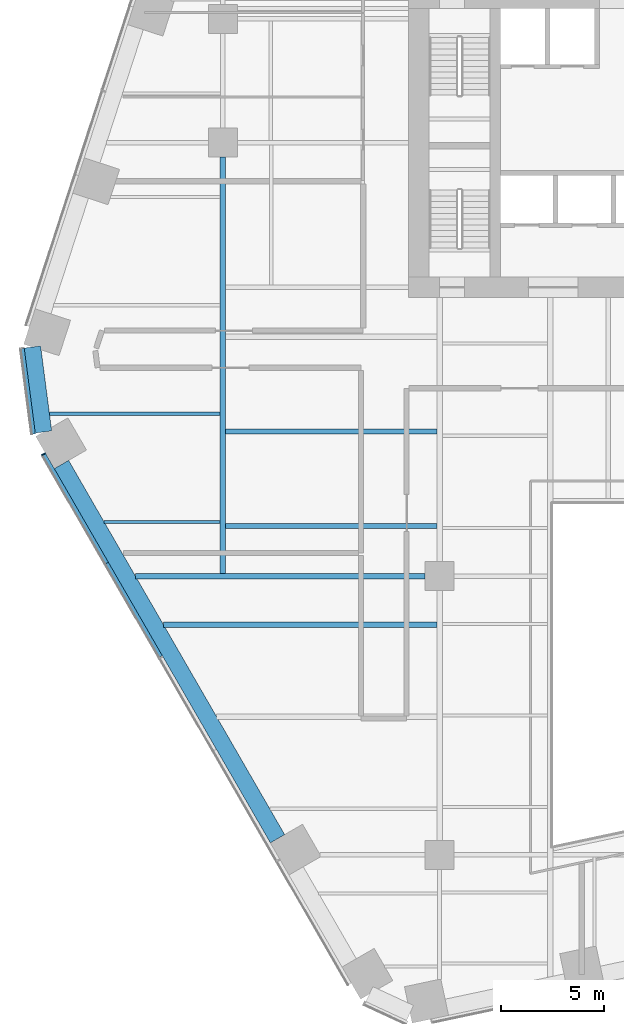
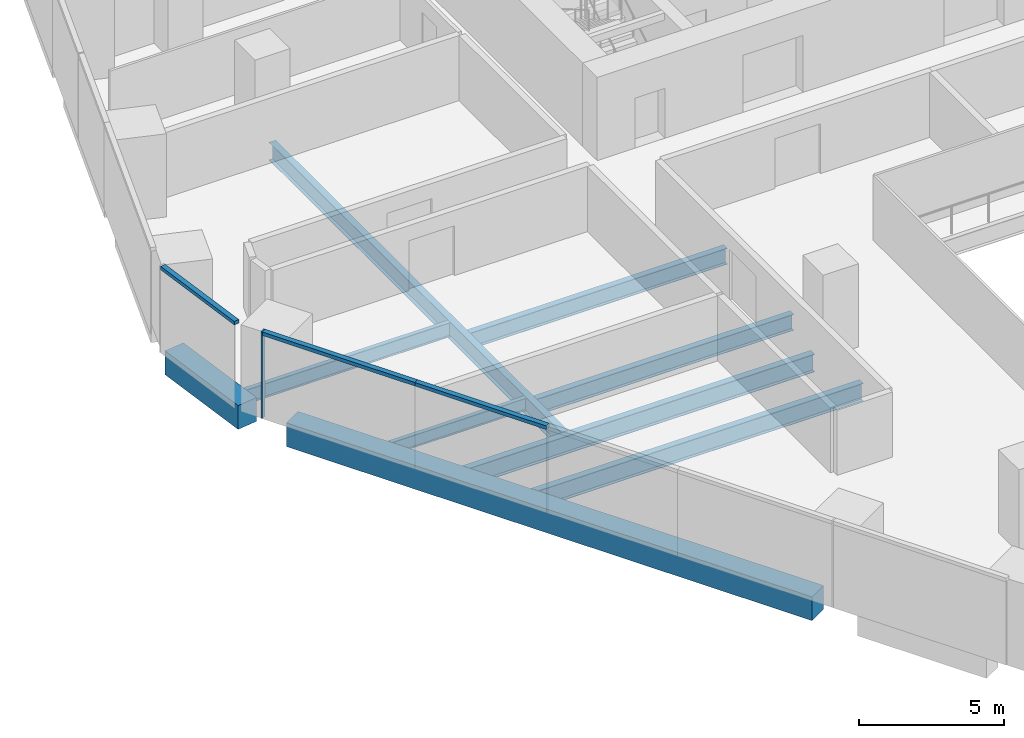
# One storey, part 3 of 20: 9 beams, 4 members, 2 elements without a shape of their own.
"""IFC4 building model written with IfcOpenShell, lengths in metres."""

from ifc_helpers import new_model, si_unit, direction, frame, origin, origin_2d, place, context, subcontext, project, spatial, rectangle, i_section, extrude, material, layer, layer_set, material_profile, profile_set, type_object, element, aggregate, save


model = new_model("IFC4")

# Units and contexts
model_context = context("Model", 3, precision=1e-05, world=origin(), true_north=direction((0.0, 1.0)))
body_context = subcontext(model_context, "Body", "Model", "MODEL_VIEW")
ifc_project = project(units=[si_unit("LENGTHUNIT", "METRE"), si_unit("AREAUNIT", "SQUARE_METRE"), si_unit("VOLUMEUNIT", "CUBIC_METRE"), si_unit("PLANEANGLEUNIT", "RADIAN"), si_unit("MASSUNIT", "GRAM", prefix="KILO")], contexts=[model_context])

# Site, building, storey
site_placement = place(None, origin())
site = spatial("IfcSite", under=ifc_project, at=site_placement, CompositionType="ELEMENT")
building_placement = place(site_placement, origin())
building = spatial("IfcBuilding", under=site, at=building_placement, Name="Isthmus Gate Tower", CompositionType="ELEMENT")
storey_placement = place(building_placement, frame((0.0, 0.0, 57.89990234375)))
storey = spatial("IfcBuildingStorey", under=building, at=storey_placement, Name="L12", CompositionType="ELEMENT", Elevation=57.89990234375)

# Curtain wall, member
ifc_material_1 = material(Name="Aluminium, pale champagne anodised", Category="aluminium")
ifc_layer = layer(ifc_material_1, 0.199951171875)
ifc_layer_set = layer_set([ifc_layer], Name="CW-1 UNITISED CURTAIN WALL 200 DEEP")
curtain_wall_type = type_object("IfcCurtainWallType", Name="CW-1 UNITISED CURTAIN WALL 200 DEEP", PredefinedType="NOTDEFINED", material=ifc_layer_set)
curtain_wall_1_placement = place(storey_placement, origin())
curtain_wall_1 = element("IfcCurtainWall", 1, at=curtain_wall_1_placement, inside=storey, type_object=curtain_wall_type, Name="CW-1 SW L12", PredefinedType="NOTDEFINED")
ifc_material_2 = material(Name="Aluminium, pale champagne anodised", Category="aluminium")
ifc_material_profile_1 = material_profile(ifc_material_2, rectangle(XDim=0.06005859375, YDim=0.199951171875, at=origin_2d()), Name="60x200")
ifc_profile_set_1 = profile_set([ifc_material_profile_1], Name="Aluminium, pale champagne anodised")
member_type_1 = type_object("IfcMemberType", Name="CW-1 MULLION 60 X 200", PredefinedType="MULLION", material=ifc_profile_set_1)
member_1_placement = place(storey_placement, frame((-32.685302734375, -7.58740234375, 0.0), z_axis=(0.0, 0.0, 1.0), x_axis=(0.5, -0.866025403784, 0.0)))
member_1 = element("IfcMember", 2, at=member_1_placement, type_object=member_type_1, Name="CW-1 mullion", PredefinedType="MULLION", context=body_context, shape_type="SweptSolid", body=[
    extrude(rectangle(XDim=0.06005859375, YDim=0.199951171875, at=origin_2d()), origin(), (0.0, 0.0, 1.0), 3.650146484375),
])

curtain_wall_2_placement = place(storey_placement, origin())
curtain_wall_2 = element("IfcCurtainWall", 3, at=curtain_wall_2_placement, inside=storey, type_object=curtain_wall_type, Name="CW-1 NW-SW L12", PredefinedType="NOTDEFINED")
ifc_material_3 = material(Name="Aluminium, pale champagne anodised", Category="aluminium")
ifc_material_profile_2 = material_profile(ifc_material_3, rectangle(XDim=0.199951171875, YDim=0.14990234375, at=origin_2d()), Name="200x150")
ifc_profile_set_2 = profile_set([ifc_material_profile_2], Name="Aluminium, pale champagne anodised")
member_type_2 = type_object("IfcMemberType", Name="CW-1 TRANSOM 200 X 150", PredefinedType="USERDEFINED", material=ifc_profile_set_2)
member_2_placement = place(storey_placement, frame((-33.71923828125, -2.474609375, 3.5751953125), z_axis=(0.129206893318, -0.991617657527, 0.0), x_axis=(0.991617657527, 0.129206893318, 0.0)))
member_2 = element("IfcMember", 4, at=member_2_placement, type_object=member_type_2, Name="CW-1 transom", ObjectType="TRANSOM", PredefinedType="USERDEFINED", context=body_context, shape_type="SweptSolid", body=[
    extrude(rectangle(XDim=0.199951171875, YDim=0.14990234375, at=origin_2d()), origin(), (0.0, 0.0, 1.0), 4.181640625),
])
aggregate(curtain_wall_2, [member_2])

# Member
member_3_placement = place(storey_placement, frame((-32.67041015625, -7.61328125, 3.5751953125), z_axis=(0.49999965181, -0.866025604812, 0.0), x_axis=(0.866025604812, 0.49999965181, 0.0)))
member_3 = element("IfcMember", 5, at=member_3_placement, type_object=member_type_2, Name="CW-1 transom", ObjectType="TRANSOM", PredefinedType="USERDEFINED", context=body_context, shape_type="SweptSolid", body=[
    extrude(rectangle(XDim=0.199951171875, YDim=0.14990234375, at=origin_2d()), origin(), (0.0, 0.0, 1.0), 6.07373046875),
])

member_4_placement = place(storey_placement, frame((-29.633544921875, -12.873291015625, 3.5751953125), z_axis=(0.500017221754, -0.866015460572, 0.0), x_axis=(0.866015460572, 0.500017221754, 0.0)))
member_4 = element("IfcMember", 6, at=member_4_placement, type_object=member_type_2, Name="CW-1 transom", ObjectType="TRANSOM", PredefinedType="USERDEFINED", context=body_context, shape_type="SweptSolid", body=[
    extrude(rectangle(XDim=0.199951171875, YDim=0.14990234375, at=origin_2d()), origin(), (0.0, 0.0, 1.0), 5.233642578125),
])

aggregate(curtain_wall_1, [member_1, member_3, member_4])

# Beams
ifc_material_4 = material(Name="Concrete f'c 70 MPa", Category="concrete")
ifc_material_profile_3 = material_profile(ifc_material_4, rectangle(XDim=0.800048828125, YDim=1.0, at=origin_2d()), Name="RC 800X1000")
ifc_profile_set_3 = profile_set([ifc_material_profile_3], Name="Concrete f'c 70 MPa")
beam_type_1 = type_object("IfcBeamType", Name="RC SPANDREL 800 X 1000", PredefinedType="SPANDREL", material=ifc_profile_set_3)
beam_1_placement = place(storey_placement, frame((-21.35009765625, -26.220458984375, -0.5), z_axis=(-0.500004778811, 0.866022644719, 0.0), x_axis=(-0.866022644719, -0.500004778811, 0.0)))
element("IfcBeam", 7, at=beam_1_placement, inside=storey, type_object=beam_type_1, Name="str-spandrel-L12-16", PredefinedType="SPANDREL", context=body_context, shape_type="SweptSolid", body=[
    extrude(rectangle(XDim=0.800048828125, YDim=1.0, at=origin_2d()), origin(), (0.0, 0.0, 1.0), 20.934326171875),
])
beam_2_placement = place(storey_placement, frame((-32.6884765625, -6.515380859375, -0.5), z_axis=(-0.129170777359, 0.991622362735, 0.0), x_axis=(-0.991622362735, -0.129170777359, 0.0)))
element("IfcBeam", 8, at=beam_2_placement, inside=storey, type_object=beam_type_1, Name="str-spandrel-L12-17", PredefinedType="SPANDREL", context=body_context, shape_type="SweptSolid", body=[
    extrude(rectangle(XDim=0.800048828125, YDim=1.0, at=origin_2d()), origin(), (0.0, 0.0, 1.0), 4.15234375),
])
ifc_material_5 = material(Name="Structural steel ASTM A992 Gr 50", Category="steel")
ifc_material_profile_4 = material_profile(ifc_material_5, i_section(OverallWidth=0.1650390625, OverallDepth=0.52392578125, WebThickness=0.009521484375, FlangeThickness=0.010986328125, at=origin_2d()), Name="W21X44")
ifc_profile_set_4 = profile_set([ifc_material_profile_4], Name="Structural steel ASTM A992 Gr 50")
beam_type_2 = type_object("IfcBeamType", Name="STEEL FLOOR BEAM W21X44", PredefinedType="JOIST", material=ifc_profile_set_4)
beam_3_placement = place(storey_placement, frame((-29.748046875, -10.875, -0.411865234375), z_axis=(1.0, 0.0, 0.0), x_axis=(0.0, 1.0, 0.0)))
element("IfcBeam", 9, at=beam_3_placement, inside=storey, type_object=beam_type_2, Name="str-beam-L12-00-00", PredefinedType="JOIST", context=body_context, shape_type="SweptSolid", body=[
    extrude(i_section(OverallWidth=0.1650390625, OverallDepth=0.52392578125, WebThickness=0.009521484375, FlangeThickness=0.010986328125, at=origin_2d()), origin(), (0.0, 0.0, 1.0), 5.61474609375),
])
ifc_material_6 = material(Name="Structural steel ASTM A992 Gr 50", Category="steel")
ifc_material_profile_5 = material_profile(ifc_material_6, i_section(OverallWidth=0.177734375, OverallDepth=0.60009765625, WebThickness=0.009521484375, FlangeThickness=0.0126953125, at=origin_2d()), Name="W24X55")
ifc_profile_set_5 = profile_set([ifc_material_profile_5], Name="Structural steel ASTM A992 Gr 50")
beam_type_3 = type_object("IfcBeamType", Name="STEEL FLOOR BEAM W24X55", PredefinedType="JOIST", material=ifc_profile_set_5)
beam_4_placement = place(storey_placement, frame((-32.401123046875, -5.625, -0.449951171875), z_axis=(1.0, 0.0, 0.0), x_axis=(0.0, 1.0, 0.0)))
element("IfcBeam", 10, at=beam_4_placement, inside=storey, type_object=beam_type_3, Name="str-beam-L12-00-01", PredefinedType="JOIST", context=body_context, shape_type="SweptSolid", body=[
    extrude(i_section(OverallWidth=0.177734375, OverallDepth=0.60009765625, WebThickness=0.009521484375, FlangeThickness=0.0126953125, at=origin_2d()), origin(), (0.0, 0.0, 1.0), 8.267822265625),
])
ifc_material_7 = material(Name="Structural steel ASTM A992 Gr 50", Category="steel")
ifc_material_profile_6 = material_profile(ifc_material_7, i_section(OverallWidth=0.25390625, OverallDepth=0.679443359375, WebThickness=0.010986328125, FlangeThickness=0.015869140625, at=origin_2d()), Name="W27X84")
ifc_profile_set_6 = profile_set([ifc_material_profile_6], Name="Structural steel ASTM A992 Gr 50")
beam_type_4 = type_object("IfcBeamType", Name="STEEL FLOOR BEAM W27X84", PredefinedType="JOIST", material=ifc_profile_set_6)
for number, where, z_axis, x_axis, name in (
    (11, (-23.86669921875, -11.07470703125, -0.489501953125), (1.0, 0.0, 0.0), (0.0, 1.0, 0.0), "str-beam-L12-07-00"),
    (12, (-23.86669921875, -6.490478515625, -0.489501953125), (1.0, 0.0, 0.0), (0.0, 1.0, 0.0), "str-beam-L12-07-01"),
):
    element("IfcBeam", number, at=place(storey_placement, frame(where, z_axis=z_axis, x_axis=x_axis)), inside=storey, type_object=beam_type_4, Name=name, PredefinedType="JOIST", context=body_context, shape_type="SweptSolid", body=[
        extrude(i_section(OverallWidth=0.25390625, OverallDepth=0.679443359375, WebThickness=0.010986328125, FlangeThickness=0.015869140625, at=origin_2d()), origin(), (0.0, 0.0, 1.0), 10.23486328125),
    ])
ifc_material_8 = material(Name="Structural steel ASTM A992 Gr 50", Category="steel")
ifc_material_profile_7 = material_profile(ifc_material_8, i_section(OverallWidth=0.263427734375, OverallDepth=0.749267578125, WebThickness=0.0126953125, FlangeThickness=0.015869140625, at=origin_2d()), Name="W30X90")
ifc_profile_set_7 = profile_set([ifc_material_profile_7], Name="Structural steel ASTM A992 Gr 50")
beam_type_5 = type_object("IfcBeamType", Name="STEEL FLOOR BEAM W30X90", PredefinedType="JOIST", material=ifc_profile_set_7)
beam_5_placement = place(storey_placement, frame((-26.869140625, -15.861083984375, -0.524658203125), z_axis=(1.0, 0.0, 0.0), x_axis=(0.0, 1.0, 0.0)))
element("IfcBeam", 13, at=beam_5_placement, inside=storey, type_object=beam_type_5, Name="str-beam-L12-05-02", PredefinedType="JOIST", context=body_context, shape_type="SweptSolid", body=[
    extrude(i_section(OverallWidth=0.263427734375, OverallDepth=0.749267578125, WebThickness=0.0126953125, FlangeThickness=0.015869140625, at=origin_2d()), origin(), (0.0, 0.0, 1.0), 13.2373046875),
])
ifc_material_9 = material(Name="Structural steel ASTM A992 Gr 50", Category="steel")
ifc_material_profile_8 = material_profile(ifc_material_9, i_section(OverallWidth=0.2666015625, OverallDepth=0.7587890625, WebThickness=0.014404296875, FlangeThickness=0.01904296875, at=origin_2d()), Name="W30X108")
ifc_profile_set_8 = profile_set([ifc_material_profile_8], Name="Structural steel ASTM A992 Gr 50")
beam_type_6 = type_object("IfcBeamType", Name="STEEL GIRDER W30X108", PredefinedType="BEAM", material=ifc_profile_set_8)
beam_6_placement = place(storey_placement, frame((-28.232421875, -13.5, -0.529296875), z_axis=(1.0, 0.0, 0.0), x_axis=(0.0, 1.0, 0.0)))
element("IfcBeam", 14, at=beam_6_placement, inside=storey, type_object=beam_type_6, Name="str-girder-L12-05", PredefinedType="BEAM", context=body_context, shape_type="SweptSolid", body=[
    extrude(i_section(OverallWidth=0.2666015625, OverallDepth=0.7587890625, WebThickness=0.014404296875, FlangeThickness=0.01904296875, at=origin_2d()), origin(), (0.0, 0.0, 1.0), 14.032470703125),
])
beam_7_placement = place(storey_placement, frame((-24.0, -13.36669921875, -0.529296875), z_axis=(0.0, 1.0, 0.0), x_axis=(-1.0, 0.0, 0.0)))
element("IfcBeam", 15, at=beam_7_placement, inside=storey, type_object=beam_type_6, Name="str-girder-L12-20", PredefinedType="BEAM", context=body_context, shape_type="SweptSolid", body=[
    extrude(i_section(OverallWidth=0.2666015625, OverallDepth=0.7587890625, WebThickness=0.014404296875, FlangeThickness=0.01904296875, at=origin_2d()), origin(), (0.0, 0.0, 1.0), 20.166748046875),
])

save(model, "model.ifc")
